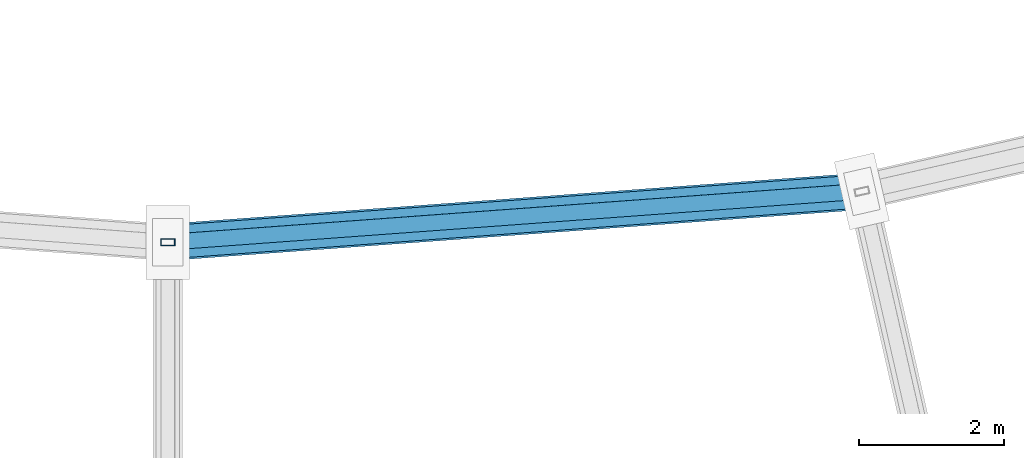
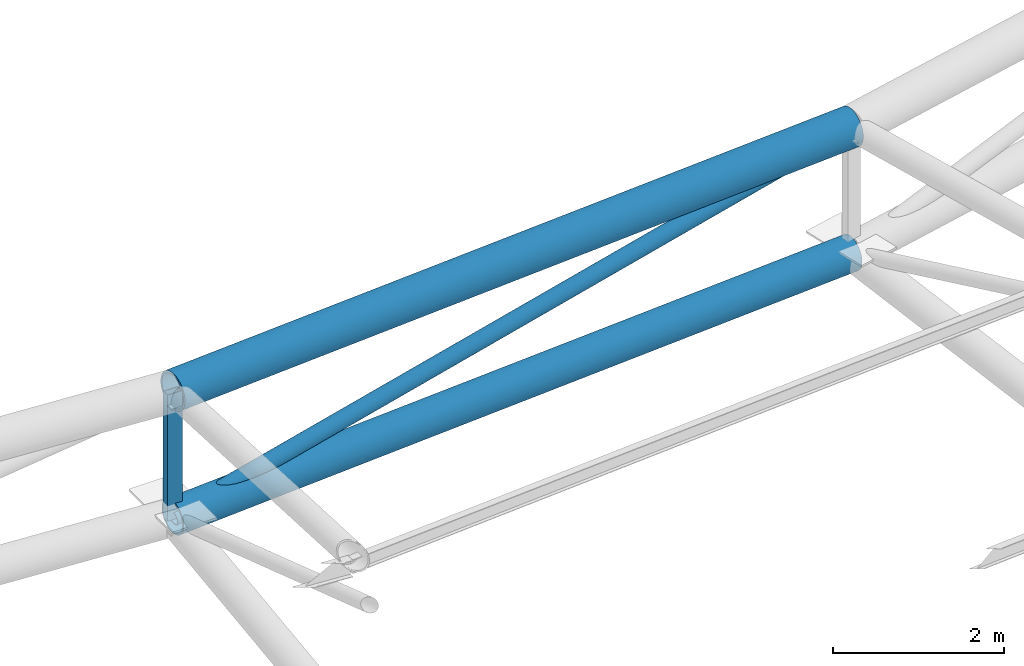
# One storey, part 22 of 108: 4 members.
"""IFC4 building model written with IfcOpenShell, lengths in metres."""

from ifc_helpers import new_model, si_unit, direction, frame, origin, origin_2d, place, context, subcontext, project, spatial, hollow_rectangle, hollow_circle, extrude, material, material_profile, profile_set, type_object, element, save


model = new_model("IFC4")

# Units and contexts
model_context = context("Model", 3, precision=1e-05, world=origin(), true_north=direction((0.0, 1.0)))
body_context = subcontext(model_context, "Body", "Model", "MODEL_VIEW")
ifc_project = project(units=[si_unit("LENGTHUNIT", "METRE"), si_unit("AREAUNIT", "SQUARE_METRE"), si_unit("VOLUMEUNIT", "CUBIC_METRE"), si_unit("PLANEANGLEUNIT", "RADIAN"), si_unit("MASSUNIT", "GRAM", prefix="KILO")], contexts=[model_context])

# Site, building, storey
site_placement = place(None, origin())
site = spatial("IfcSite", under=ifc_project, at=site_placement, CompositionType="ELEMENT")
building_placement = place(site_placement, origin())
building = spatial("IfcBuilding", under=site, at=building_placement, Name="Zevraka Park Crest Stadium", CompositionType="ELEMENT")
storey_placement = place(building_placement, frame((0.0, 0.0, 29.39990234375)))
storey = spatial("IfcBuildingStorey", under=building, at=storey_placement, Name="RF", CompositionType="ELEMENT", Elevation=29.39990234375)

# Members
ifc_material_1 = material(Name="Steel S355", Category="steel")
ifc_material_profile_1 = material_profile(ifc_material_1, hollow_circle(Radius=0.25390625, WallThickness=0.030029296875, at=origin_2d()), Name="CHS 508.0x30")
ifc_profile_set_1 = profile_set([ifc_material_profile_1], Name="Steel S355")
member_type_1 = type_object("IfcMemberType", Name="TC01", PredefinedType="CHORD", material=ifc_profile_set_1)
member_1_placement = place(storey_placement, frame((112.0, 64.0, 9.0), z_axis=(0.997320063798, 0.073162082708, 0.0), x_axis=(-0.073162082708, 0.997320063798, 0.0)))
element("IfcMember", 1, at=member_1_placement, inside=storey, type_object=member_type_1, Name="Roof Inner Oculus Compression-Tension Ring TC01 22", PredefinedType="CHORD", context=body_context, shape_type="SweptSolid", body=[
    extrude(hollow_circle(Radius=0.25390625, WallThickness=0.030029296875, at=origin_2d()), origin(), (0.0, 0.0, 1.0), 9.59375),
])
ifc_material_2 = material(Name="Steel S355", Category="steel")
ifc_material_profile_2 = material_profile(ifc_material_2, hollow_circle(Radius=0.228515625, WallThickness=0.02490234375, at=origin_2d()), Name="CHS 457.0x25")
ifc_profile_set_2 = profile_set([ifc_material_profile_2], Name="Steel S355")
member_type_2 = type_object("IfcMemberType", Name="TC02", PredefinedType="CHORD", material=ifc_profile_set_2)
member_2_placement = place(storey_placement, frame((112.0, 64.0, 7.2001953125), z_axis=(0.997320063798, 0.073162082708, 0.0), x_axis=(-0.073162082708, 0.997320063798, 0.0)))
element("IfcMember", 2, at=member_2_placement, inside=storey, type_object=member_type_2, Name="Roof Inner Oculus Bottom Ring TC02 22", PredefinedType="CHORD", context=body_context, shape_type="SweptSolid", body=[
    extrude(hollow_circle(Radius=0.228515625, WallThickness=0.02490234375, at=origin_2d()), origin(), (0.0, 0.0, 1.0), 9.59375),
])
ifc_material_3 = material(Name="Steel S355", Category="steel")
ifc_material_profile_3 = material_profile(ifc_material_3, hollow_circle(Radius=0.109619140625, WallThickness=0.010009765625, at=origin_2d()), Name="CHS 219.1x10")
ifc_profile_set_3 = profile_set([ifc_material_profile_3], Name="Steel S355")
member_type_3 = type_object("IfcMemberType", Name="WB02", PredefinedType="BRACE", material=ifc_profile_set_3)
member_3_placement = place(storey_placement, frame((112.0, 64.0, 7.2001953125), z_axis=(0.980220338684, 0.071907669458, 0.184383770171), x_axis=(-0.073162082708, 0.997320063798, 0.0)))
element("IfcMember", 3, at=member_3_placement, inside=storey, type_object=member_type_3, Name="Roof Oculus Ring Brace WB02 22", PredefinedType="BRACE", context=body_context, shape_type="SweptSolid", body=[
    extrude(hollow_circle(Radius=0.109619140625, WallThickness=0.010009765625, at=origin_2d()), origin(), (0.0, 0.0, 1.0), 9.76123046875),
])
ifc_material_4 = material(Name="Steel S355", Category="steel")
ifc_material_profile_4 = material_profile(ifc_material_4, hollow_rectangle(XDim=0.10009765625, YDim=0.199951171875, WallThickness=0.008056640625, at=origin_2d()), Name="RHS 200x100x8")
ifc_profile_set_4 = profile_set([ifc_material_profile_4], Name="Steel S355")
member_type_4 = type_object("IfcMemberType", Name="WB05", PredefinedType="BRACE", material=ifc_profile_set_4)
member_4_placement = place(storey_placement, frame((112.0, 64.0, 7.2001953125), z_axis=(0.0, 0.0, 1.0), x_axis=(0.0, 1.0, 0.0)))
element("IfcMember", 4, at=member_4_placement, inside=storey, type_object=member_type_4, Name="Roof Truss Web Post WB05 T22-7", PredefinedType="BRACE", context=body_context, shape_type="SweptSolid", body=[
    extrude(hollow_rectangle(XDim=0.10009765625, YDim=0.199951171875, WallThickness=0.008056640625, at=origin_2d()), origin(), (0.0, 0.0, 1.0), 1.7998046875),
])

save(model, "model.ifc")
